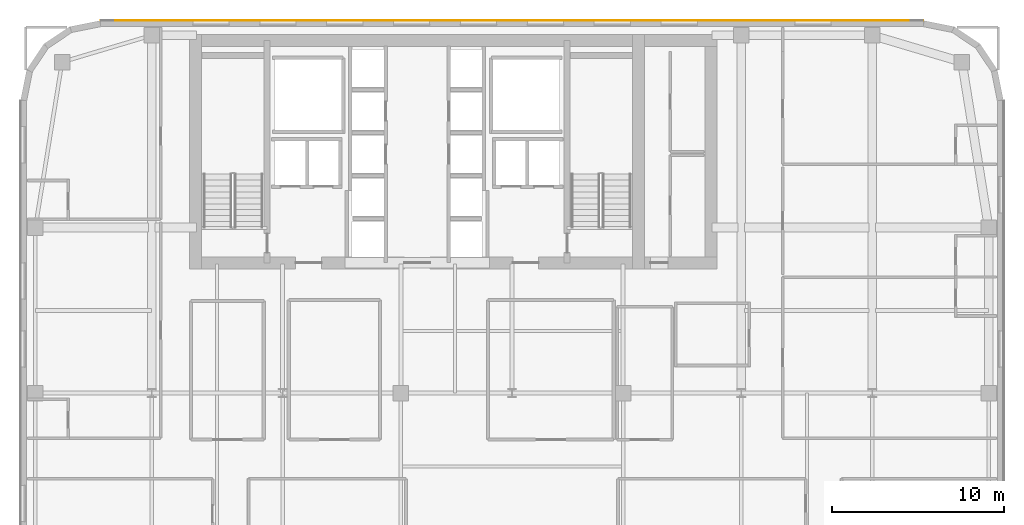
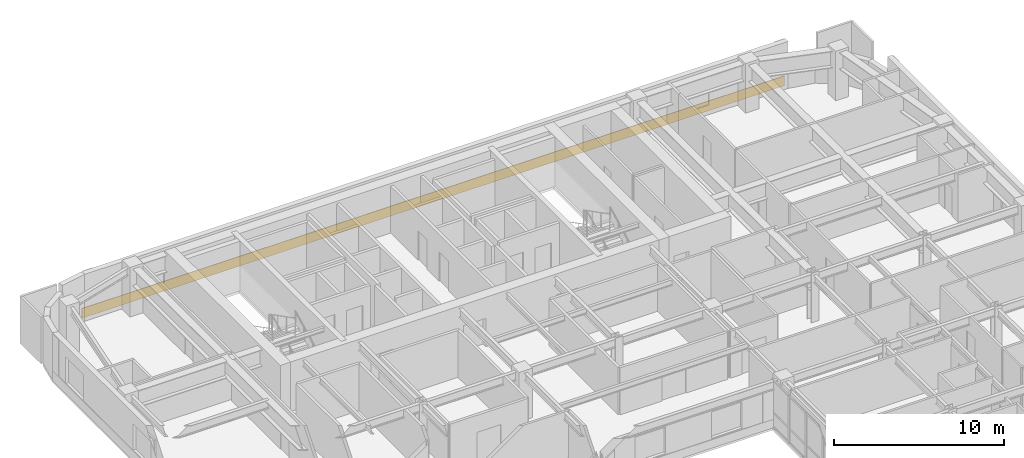
# One storey, part 23 of 24: 1 covering.
"""IFC4 building model written with IfcOpenShell, lengths in metres."""

from ifc_helpers import new_model, si_unit, direction, frame, origin, place, context, subcontext, project, spatial, polyline, outline, extrude, material, layer, layer_set, type_object, element, save


model = new_model("IFC4")

# Units and contexts
model_context = context("Model", 3, precision=1e-05, world=origin(), true_north=direction((0.0, 1.0)))
body_context = subcontext(model_context, "Body", "Model", "MODEL_VIEW")
ifc_project = project(units=[si_unit("LENGTHUNIT", "METRE"), si_unit("AREAUNIT", "SQUARE_METRE"), si_unit("VOLUMEUNIT", "CUBIC_METRE"), si_unit("PLANEANGLEUNIT", "RADIAN"), si_unit("MASSUNIT", "GRAM", prefix="KILO")], contexts=[model_context])

# Site, building, storey
site_placement = place(None, origin())
site = spatial("IfcSite", under=ifc_project, at=site_placement, CompositionType="ELEMENT")
building_placement = place(site_placement, origin())
building = spatial("IfcBuilding", under=site, at=building_placement, Name="Tolvann Quenvar Hotel", CompositionType="ELEMENT")
storey_placement = place(building_placement, frame((0.0, 0.0, 118.64990234375)))
storey = spatial("IfcBuildingStorey", under=building, at=storey_placement, Name="L30", CompositionType="ELEMENT", Elevation=118.64990234375)

# Covering
ifc_material = material(Name="Moulded buff architectural terracotta spandrel cladding", Category="masonry")
ifc_layer = layer(ifc_material, 0.0400390625)
ifc_layer_set = layer_set([ifc_layer], Name="Moulded buff architectural terracotta spandrel cladding")
covering_type = type_object("IfcCoveringType", Name="COV_CLAD_TERRA_40", PredefinedType="CLADDING", material=ifc_layer_set)
covering_placement = place(storey_placement, origin())
element("IfcCovering", 1, at=covering_placement, inside=storey, type_object=covering_type, Name="Terracotta Spandrel Cladding (L30-E18)", PredefinedType="CLADDING", context=body_context, shape_type="SweptSolid", body=[
    extrude(outline(polyline([(52.3427734375, 46.0), (4.6572265625, 46.0), (4.6572265625, 46.0400390625), (52.3427734375, 46.0400390625), (52.3427734375, 46.0)])), origin(), (0.0, 0.0, 1.0), 0.7001953125),
])

save(model, "model.ifc")
